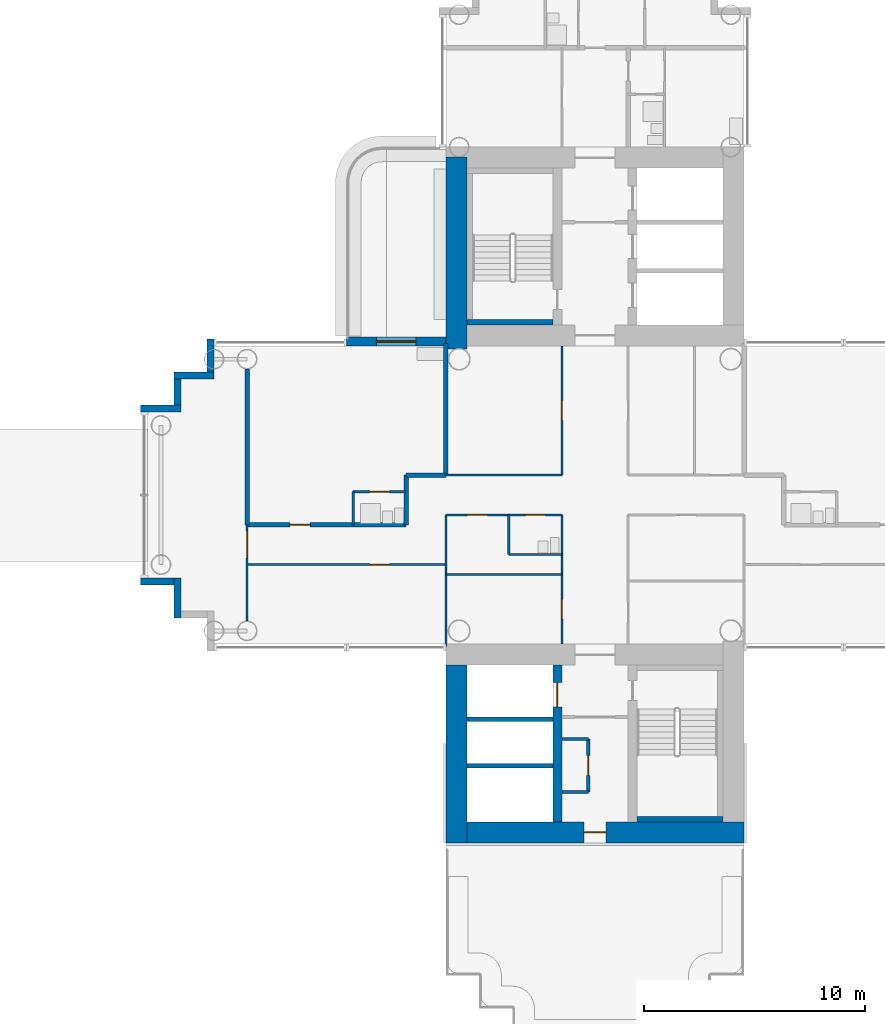
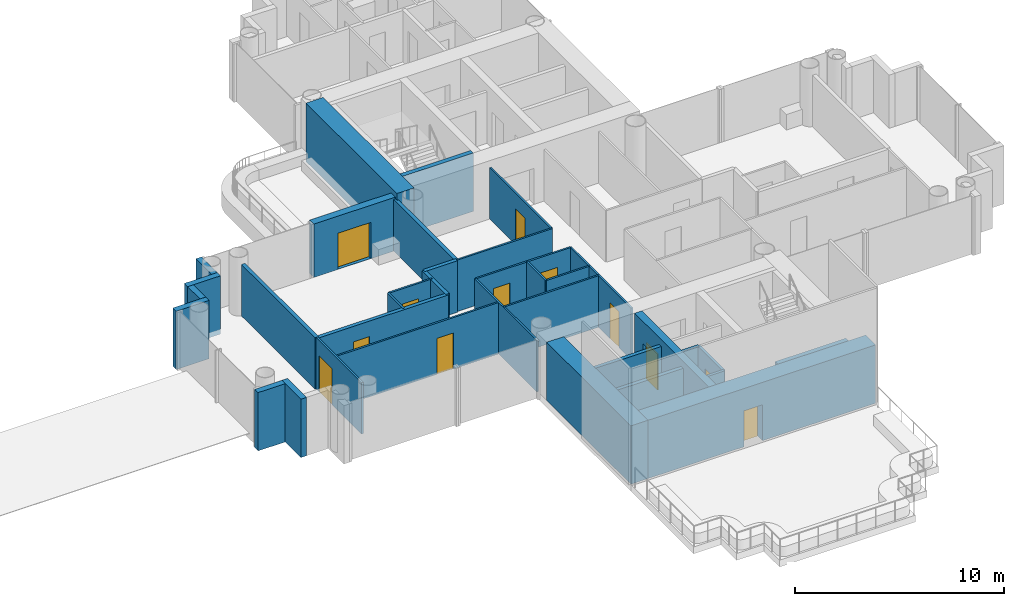
# One storey, part 13 of 22: 35 walls, 12 doors, 12 openings.
"""IFC4 building model written with IfcOpenShell, lengths in metres."""

from ifc_helpers import new_model, si_unit, direction, frame, frame_2d, origin, place, context, subcontext, project, spatial, rectangle, extrude, material, layer, layer_set, type_object, element, fill, save


model = new_model("IFC4")

# Units and contexts
model_context = context("Model", 3, precision=1e-05, world=origin(), true_north=direction((0.0, 1.0)))
body_context = subcontext(model_context, "Body", "Model", "MODEL_VIEW")
ifc_project = project(units=[si_unit("LENGTHUNIT", "METRE"), si_unit("AREAUNIT", "SQUARE_METRE"), si_unit("VOLUMEUNIT", "CUBIC_METRE"), si_unit("PLANEANGLEUNIT", "RADIAN"), si_unit("MASSUNIT", "GRAM", prefix="KILO")], contexts=[model_context])

# Site, building, storey
site_placement = place(None, origin())
site = spatial("IfcSite", under=ifc_project, at=site_placement, CompositionType="ELEMENT")
building_placement = place(site_placement, origin())
building = spatial("IfcBuilding", under=site, at=building_placement, Name="Ipe Terrace Towers", CompositionType="ELEMENT")
storey_placement = place(building_placement, frame((0.0, 0.0, 76.60009765625)))
storey = spatial("IfcBuildingStorey", under=building, at=storey_placement, Name="L20", CompositionType="ELEMENT", Elevation=76.60009765625)

# Wall, opening, door
ifc_material_1 = material(Name="Concrete C40/50 with buff precast cladding", Category="concrete")
ifc_layer_1 = layer(ifc_material_1, 0.39990234375)
ifc_layer_set_1 = layer_set([ifc_layer_1], Name="BALCONY BAY WALL 400")
wall_type_1 = type_object("IfcWallType", Name="BALCONY BAY WALL 400", PredefinedType="STANDARD", material=ifc_layer_set_1)
wall_1_placement = place(storey_placement, frame((29.25, 6.949951171875, -0.02001953125), z_axis=(0.0, 0.0, 1.0), x_axis=(-1.0, 0.0, 0.0)))
wall_1 = element("IfcWall", 1, at=wall_1_placement, inside=storey, type_object=wall_type_1, Name="T2-W-L20-28a wall", PredefinedType="STANDARD", context=body_context, shape_type="SweptSolid", body=[
    extrude(rectangle(XDim=4.5, YDim=0.39990234375, at=frame_2d((2.25, 0.0))), origin(), (0.0, 0.0, 1.0), 3.119873046875),
])
opening_1_placement = place(wall_1_placement, frame((1.35009765625, 0.0, 0.02001953125)))
opening_1 = element("IfcOpeningElement", 2, at=opening_1_placement, cuts=wall_1, Name="Opening T2-D-L20-28", PredefinedType="OPENING", context=body_context, shape_type="SweptSolid", body=[
    extrude(rectangle(XDim=1.800048828125, YDim=2.10009765625, at=frame_2d((0.89990234375, 1.050048828125))), frame((0.0, 0.2099609375, 0.0), z_axis=(0.0, -1.0, 0.0), x_axis=(1.0, 0.0, 0.0)), (0.0, 0.0, 1.0), 0.419921875),
])
ifc_material_2 = material(Name="Aluminium alloy 6063-T6 framed glazed door", Category="aluminium")
door_type_1 = type_object("IfcDoorType", Name="BALCONY DOOR 1800 x 2100 RIGHT", OperationType="SINGLE_SWING_RIGHT", PredefinedType="DOOR", material=ifc_material_2)
door_1_placement = place(opening_1_placement, origin())
door_1 = element("IfcDoor", 3, at=door_1_placement, inside=storey, type_object=door_type_1, Name="DB2 door", OperationType="SINGLE_SWING_RIGHT", OverallHeight=2.10009765625, OverallWidth=1.800048828125, PredefinedType="DOOR", context=body_context, shape_type="SweptSolid", body=[
    extrude(rectangle(XDim=1.800048828125, YDim=2.10009765625, at=frame_2d((0.89990234375, 1.050048828125))), frame((0.0, 0.02490234375, 0.0), z_axis=(0.0, -1.0, 0.0), x_axis=(1.0, 0.0, 0.0)), (0.0, 0.0, 1.0), 0.050048828125),
])
fill(opening_1, door_1)

# Walls
ifc_material_3 = material(Name="Concrete C40/50 with buff precast cladding", Category="concrete")
ifc_layer_2 = layer(ifc_material_3, 0.320068359375)
ifc_layer_set_2 = layer_set([ifc_layer_2], Name="BUFF CLADDING WALL 320")
wall_type_2 = type_object("IfcWallType", Name="BUFF CLADDING WALL 320", PredefinedType="STANDARD", material=ifc_layer_set_2)
wall_2_placement = place(storey_placement, frame((18.590087890625, 7.070068359375, -0.300048828125), z_axis=(0.0, 0.0, 1.0), x_axis=(0.0, -1.0, 0.0)))
element("IfcWall", 4, at=wall_2_placement, inside=storey, type_object=wall_type_2, Name="T2-W-L20-30a wall", PredefinedType="STANDARD", context=body_context, shape_type="SweptSolid", body=[
    extrude(rectangle(XDim=1.5, YDim=0.320068359375, at=frame_2d((0.75, 0.0))), origin(), (0.0, 0.0, 1.0), 3.39990234375),
])
wall_3_placement = place(storey_placement, frame((18.75, 5.409912109375, -0.300048828125), z_axis=(0.0, 0.0, 1.0), x_axis=(-1.0, 0.0, 0.0)))
element("IfcWall", 5, at=wall_3_placement, inside=storey, type_object=wall_type_2, Name="T2-W-L20-31a wall", PredefinedType="STANDARD", context=body_context, shape_type="SweptSolid", body=[
    extrude(rectangle(XDim=1.820068359375, YDim=0.320068359375, at=frame_2d((0.91015625, 0.0))), origin(), (0.0, 0.0, 1.0), 3.39990234375),
])
wall_4_placement = place(storey_placement, frame((17.090087890625, 5.25, -0.300048828125), z_axis=(0.0, 0.0, 1.0), x_axis=(0.0, -1.0, 0.0)))
element("IfcWall", 6, at=wall_4_placement, inside=storey, type_object=wall_type_2, Name="T2-W-L20-32a wall", PredefinedType="STANDARD", context=body_context, shape_type="SweptSolid", body=[
    extrude(rectangle(XDim=1.179931640625, YDim=0.320068359375, at=frame_2d((0.58984375, 0.0))), origin(), (0.0, 0.0, 1.0), 3.39990234375),
])
wall_5_placement = place(storey_placement, frame((17.25, 3.909912109375, -0.300048828125), z_axis=(0.0, 0.0, 1.0), x_axis=(-1.0, 0.0, 0.0)))
element("IfcWall", 7, at=wall_5_placement, inside=storey, type_object=wall_type_2, Name="T2-W-L20-33a wall", PredefinedType="STANDARD", context=body_context, shape_type="SweptSolid", body=[
    extrude(rectangle(XDim=1.820068359375, YDim=0.320068359375, at=frame_2d((0.91015625, 0.0))), origin(), (0.0, 0.0, 1.0), 3.39990234375),
])
wall_6_placement = place(storey_placement, frame((15.429931640625, -3.909912109375, -0.300048828125), z_axis=(0.0, 0.0, 1.0), x_axis=(1.0, 0.0, 0.0)))
element("IfcWall", 8, at=wall_6_placement, inside=storey, type_object=wall_type_2, Name="T2-W-L20-35a wall", PredefinedType="STANDARD", context=body_context, shape_type="SweptSolid", body=[
    extrude(rectangle(XDim=1.5, YDim=0.320068359375, at=frame_2d((0.75, 0.0))), origin(), (0.0, 0.0, 1.0), 3.39990234375),
])
wall_7_placement = place(storey_placement, frame((17.090087890625, -3.75, -0.300048828125), z_axis=(0.0, 0.0, 1.0), x_axis=(0.0, -1.0, 0.0)))
element("IfcWall", 9, at=wall_7_placement, inside=storey, type_object=wall_type_2, Name="T2-W-L20-36a wall", PredefinedType="STANDARD", context=body_context, shape_type="SweptSolid", body=[
    extrude(rectangle(XDim=1.820068359375, YDim=0.320068359375, at=frame_2d((0.91015625, 0.0))), origin(), (0.0, 0.0, 1.0), 3.39990234375),
])
ifc_material_4 = material(Name="Gypsum board partition", Category="plasterboard")
ifc_layer_3 = layer(ifc_material_4, 0.10009765625)
ifc_layer_set_3 = layer_set([ifc_layer_3], Name="Gypsum board partition 100 mm")
wall_type_3 = type_object("IfcWallType", Name="Gypsum board partition 100 mm", PredefinedType="PARTITIONING", material=ifc_layer_set_3)
wall_8_placement = place(storey_placement, frame((34.5, -3.60009765625, 0.0), z_axis=(0.0, 0.0, 1.0), x_axis=(-1.0, 0.0, 0.0)))
element("IfcWall", 10, at=wall_8_placement, inside=storey, type_object=wall_type_3, Name="Gypsum board partition T2 L20 W02", PredefinedType="PARTITIONING", context=body_context, shape_type="SweptSolid", body=[
    extrude(rectangle(XDim=5.25, YDim=0.10009765625, at=frame_2d((2.625, 0.0))), origin(), (0.0, 0.0, 1.0), 3.0),
])

# Wall, opening, door
wall_9_placement = place(storey_placement, frame((29.25, -3.14990234375, 0.0), z_axis=(0.0, 0.0, 1.0), x_axis=(-1.0, 0.0, 0.0)))
wall_9 = element("IfcWall", 11, at=wall_9_placement, inside=storey, type_object=wall_type_3, Name="Gypsum board partition T2 L20 W04", PredefinedType="PARTITIONING", context=body_context, shape_type="SweptSolid", body=[
    extrude(rectangle(XDim=9.0, YDim=0.10009765625, at=frame_2d((4.5, 0.0))), origin(), (0.0, 0.0, 1.0), 3.0),
])
opening_2_placement = place(wall_9_placement, frame((2.550048828125, 0.0, 0.0)))
opening_2 = element("IfcOpeningElement", 12, at=opening_2_placement, cuts=wall_9, Name="Opening T2-Z2B-09", PredefinedType="OPENING", context=body_context, shape_type="SweptSolid", body=[
    extrude(rectangle(XDim=0.89990234375, YDim=2.10009765625, at=frame_2d((0.449951171875, 1.050048828125))), frame((0.0, 0.06005859375, 0.0), z_axis=(0.0, -1.0, 0.0), x_axis=(1.0, 0.0, 0.0)), (0.0, 0.0, 1.0), 0.1201171875),
])
ifc_material_5 = material(Name="Timber door leaf", Category="wood")
door_type_2 = type_object("IfcDoorType", Name="Lounge door 900 x 2100", OperationType="NOTDEFINED", PredefinedType="DOOR", material=ifc_material_5)
door_2_placement = place(opening_2_placement, origin())
door_2 = element("IfcDoor", 13, at=door_2_placement, inside=storey, type_object=door_type_2, Name="Lounge door T2-Z2B-09", OperationType="SINGLE_SWING_RIGHT", OverallHeight=2.10009765625, OverallWidth=0.89990234375, PredefinedType="DOOR", context=body_context, shape_type="SweptSolid", body=[
    extrude(rectangle(XDim=0.89990234375, YDim=2.10009765625, at=frame_2d((0.449951171875, 1.050048828125))), frame((0.0, 0.02490234375, 0.0), z_axis=(0.0, -1.0, 0.0), x_axis=(1.0, 0.0, 0.0)), (0.0, 0.0, 1.0), 0.050048828125),
])
fill(opening_2, door_2)

# Wall
wall_10_placement = place(storey_placement, frame((34.5, -2.699951171875, 0.0), z_axis=(0.0, 0.0, 1.0), x_axis=(-1.0, 0.0, 0.0)))
element("IfcWall", 14, at=wall_10_placement, inside=storey, type_object=wall_type_3, Name="Gypsum board partition T2 L20 W05", PredefinedType="PARTITIONING", context=body_context, shape_type="SweptSolid", body=[
    extrude(rectangle(XDim=2.39990234375, YDim=0.10009765625, at=frame_2d((1.199951171875, 0.0))), origin(), (0.0, 0.0, 1.0), 3.0),
])

# Wall, openings, doors
wall_11_placement = place(storey_placement, frame((34.5, -0.89990234375, 0.0), z_axis=(0.0, 0.0, 1.0), x_axis=(-1.0, 0.0, 0.0)))
wall_11 = element("IfcWall", 15, at=wall_11_placement, inside=storey, type_object=wall_type_3, Name="Gypsum board partition T2 L20 W09", PredefinedType="PARTITIONING", context=body_context, shape_type="SweptSolid", body=[
    extrude(rectangle(XDim=5.25, YDim=0.10009765625, at=frame_2d((2.625, 0.0))), origin(), (0.0, 0.0, 1.0), 3.0),
])
opening_3_placement = place(wall_11_placement, frame((0.75, 0.0, 0.0)))
opening_3 = element("IfcOpeningElement", 16, at=opening_3_placement, cuts=wall_11, Name="Opening T2-Z2B-01", PredefinedType="OPENING", context=body_context, shape_type="SweptSolid", body=[
    extrude(rectangle(XDim=0.89990234375, YDim=2.10009765625, at=frame_2d((0.449951171875, 1.050048828125))), frame((0.0, 0.06005859375, 0.0), z_axis=(0.0, -1.0, 0.0), x_axis=(1.0, 0.0, 0.0)), (0.0, 0.0, 1.0), 0.1201171875),
])
opening_4_placement = place(wall_11_placement, frame((3.375, 0.0, 0.0)))
opening_4 = element("IfcOpeningElement", 17, at=opening_4_placement, cuts=wall_11, Name="Opening T2-Z2B-03", PredefinedType="OPENING", context=body_context, shape_type="SweptSolid", body=[
    extrude(rectangle(XDim=0.89990234375, YDim=2.10009765625, at=frame_2d((0.449951171875, 1.050048828125))), frame((0.0, 0.06005859375, 0.0), z_axis=(0.0, -1.0, 0.0), x_axis=(1.0, 0.0, 0.0)), (0.0, 0.0, 1.0), 0.1201171875),
])
ifc_material_6 = material(Name="Timber door leaf", Category="wood")
door_type_3 = type_object("IfcDoorType", Name="Bathroom door 900 x 2100", OperationType="NOTDEFINED", PredefinedType="DOOR", material=ifc_material_6)
door_3_placement = place(opening_3_placement, origin())
door_3 = element("IfcDoor", 18, at=door_3_placement, inside=storey, type_object=door_type_3, Name="Bathroom door T2-Z2B-01", OperationType="SINGLE_SWING_RIGHT", OverallHeight=2.10009765625, OverallWidth=0.89990234375, PredefinedType="DOOR", context=body_context, shape_type="SweptSolid", body=[
    extrude(rectangle(XDim=0.89990234375, YDim=2.10009765625, at=frame_2d((0.449951171875, 1.050048828125))), frame((0.0, 0.02490234375, 0.0), z_axis=(0.0, -1.0, 0.0), x_axis=(1.0, 0.0, 0.0)), (0.0, 0.0, 1.0), 0.050048828125),
])
fill(opening_3, door_3)
door_4_placement = place(opening_4_placement, origin())
door_4 = element("IfcDoor", 19, at=door_4_placement, inside=storey, type_object=door_type_2, Name="Lounge door T2-Z2B-03", OperationType="SINGLE_SWING_LEFT", OverallHeight=2.10009765625, OverallWidth=0.89990234375, PredefinedType="DOOR", context=body_context, shape_type="SweptSolid", body=[
    extrude(rectangle(XDim=0.89990234375, YDim=2.10009765625, at=frame_2d((0.449951171875, 1.050048828125))), frame((0.0, 0.02490234375, 0.0), z_axis=(0.0, -1.0, 0.0), x_axis=(1.0, 0.0, 0.0)), (0.0, 0.0, 1.0), 0.050048828125),
])
fill(opening_4, door_4)

# Wall, opening, door
wall_12_placement = place(storey_placement, frame((27.449951171875, 0.14990234375, 0.0), z_axis=(0.0, 0.0, 1.0), x_axis=(-1.0, 0.0, 0.0)))
wall_12 = element("IfcWall", 20, at=wall_12_placement, inside=storey, type_object=wall_type_3, Name="Gypsum board partition T2 L20 W11", PredefinedType="PARTITIONING", context=body_context, shape_type="SweptSolid", body=[
    extrude(rectangle(XDim=2.39990234375, YDim=0.10009765625, at=frame_2d((1.199951171875, 0.0))), origin(), (0.0, 0.0, 1.0), 3.0),
])
opening_5_placement = place(wall_12_placement, frame((0.75, 0.0, 0.0)))
opening_5 = element("IfcOpeningElement", 21, at=opening_5_placement, cuts=wall_12, Name="Opening T2-Z2B-11", PredefinedType="OPENING", context=body_context, shape_type="SweptSolid", body=[
    extrude(rectangle(XDim=0.89990234375, YDim=2.10009765625, at=frame_2d((0.449951171875, 1.050048828125))), frame((0.0, 0.06005859375, 0.0), z_axis=(0.0, -1.0, 0.0), x_axis=(1.0, 0.0, 0.0)), (0.0, 0.0, 1.0), 0.1201171875),
])
door_5_placement = place(opening_5_placement, origin())
door_5 = element("IfcDoor", 22, at=door_5_placement, inside=storey, type_object=door_type_3, Name="Bathroom door T2-Z2B-11", OperationType="SINGLE_SWING_LEFT", OverallHeight=2.10009765625, OverallWidth=0.89990234375, PredefinedType="DOOR", context=body_context, shape_type="SweptSolid", body=[
    extrude(rectangle(XDim=0.89990234375, YDim=2.10009765625, at=frame_2d((0.449951171875, 1.050048828125))), frame((0.0, 0.02490234375, 0.0), z_axis=(0.0, -1.0, 0.0), x_axis=(1.0, 0.0, 0.0)), (0.0, 0.0, 1.0), 0.050048828125),
])
fill(opening_5, door_5)

# Wall
wall_13_placement = place(storey_placement, frame((34.5, 0.89990234375, 0.0), z_axis=(0.0, 0.0, 1.0), x_axis=(-1.0, 0.0, 0.0)))
element("IfcWall", 23, at=wall_13_placement, inside=storey, type_object=wall_type_3, Name="Gypsum board partition T2 L20 W13", PredefinedType="PARTITIONING", context=body_context, shape_type="SweptSolid", body=[
    extrude(rectangle(XDim=5.25, YDim=0.10009765625, at=frame_2d((2.625, 0.0))), origin(), (0.0, 0.0, 1.0), 3.0),
])

# Wall, opening, door
wall_14_placement = place(storey_placement, frame((34.5, -6.75, 0.0), z_axis=(0.0, 0.0, 1.0), x_axis=(0.0, 1.0, 0.0)))
wall_14 = element("IfcWall", 24, at=wall_14_placement, inside=storey, type_object=wall_type_3, Name="Gypsum board partition T2 L20 W32", PredefinedType="PARTITIONING", context=body_context, shape_type="SweptSolid", body=[
    extrude(rectangle(XDim=5.85009765625, YDim=0.10009765625, at=frame_2d((2.925048828125, 0.0))), origin(), (0.0, 0.0, 1.0), 3.0),
])
opening_6_placement = place(wall_14_placement, frame((1.125, 0.0, 0.0)))
opening_6 = element("IfcOpeningElement", 25, at=opening_6_placement, cuts=wall_14, Name="Opening T2-Z2B-04", PredefinedType="OPENING", context=body_context, shape_type="SweptSolid", body=[
    extrude(rectangle(XDim=0.89990234375, YDim=2.10009765625, at=frame_2d((0.449951171875, 1.050048828125))), frame((0.0, 0.06005859375, 0.0), z_axis=(0.0, -1.0, 0.0), x_axis=(1.0, 0.0, 0.0)), (0.0, 0.0, 1.0), 0.1201171875),
])
door_6_placement = place(opening_6_placement, origin())
door_6 = element("IfcDoor", 26, at=door_6_placement, inside=storey, type_object=door_type_2, Name="Lounge door T2-Z2B-04", OperationType="SINGLE_SWING_RIGHT", OverallHeight=2.10009765625, OverallWidth=0.89990234375, PredefinedType="DOOR", context=body_context, shape_type="SweptSolid", body=[
    extrude(rectangle(XDim=0.89990234375, YDim=2.10009765625, at=frame_2d((0.449951171875, 1.050048828125))), frame((0.0, 0.02490234375, 0.0), z_axis=(0.0, -1.0, 0.0), x_axis=(1.0, 0.0, 0.0)), (0.0, 0.0, 1.0), 0.050048828125),
])
fill(opening_6, door_6)

wall_15_placement = place(storey_placement, frame((34.5, 0.89990234375, 0.0), z_axis=(0.0, 0.0, 1.0), x_axis=(0.0, 1.0, 0.0)))
wall_15 = element("IfcWall", 27, at=wall_15_placement, inside=storey, type_object=wall_type_3, Name="Gypsum board partition T2 L20 W33", PredefinedType="PARTITIONING", context=body_context, shape_type="SweptSolid", body=[
    extrude(rectangle(XDim=5.85009765625, YDim=0.10009765625, at=frame_2d((2.925048828125, 0.0))), origin(), (0.0, 0.0, 1.0), 3.0),
])
opening_7_placement = place(wall_15_placement, frame((2.47509765625, 0.0, 0.0)))
opening_7 = element("IfcOpeningElement", 28, at=opening_7_placement, cuts=wall_15, Name="Opening T2-Z2B-02", PredefinedType="OPENING", context=body_context, shape_type="SweptSolid", body=[
    extrude(rectangle(XDim=0.89990234375, YDim=2.10009765625, at=frame_2d((0.449951171875, 1.050048828125))), frame((0.0, 0.06005859375, 0.0), z_axis=(0.0, -1.0, 0.0), x_axis=(1.0, 0.0, 0.0)), (0.0, 0.0, 1.0), 0.1201171875),
])
door_7_placement = place(opening_7_placement, origin())
door_7 = element("IfcDoor", 29, at=door_7_placement, inside=storey, type_object=door_type_2, Name="Lounge door T2-Z2B-02", OperationType="SINGLE_SWING_LEFT", OverallHeight=2.10009765625, OverallWidth=0.89990234375, PredefinedType="DOOR", context=body_context, shape_type="SweptSolid", body=[
    extrude(rectangle(XDim=0.89990234375, YDim=2.10009765625, at=frame_2d((0.449951171875, 1.050048828125))), frame((0.0, 0.02490234375, 0.0), z_axis=(0.0, -1.0, 0.0), x_axis=(1.0, 0.0, 0.0)), (0.0, 0.0, 1.0), 0.050048828125),
])
fill(opening_7, door_7)

# Walls
wall_16_placement = place(storey_placement, frame((32.10009765625, -2.699951171875, 0.0), z_axis=(0.0, 0.0, 1.0), x_axis=(0.0, 1.0, 0.0)))
element("IfcWall", 30, at=wall_16_placement, inside=storey, type_object=wall_type_3, Name="Gypsum board partition T2 L20 W36", PredefinedType="PARTITIONING", context=body_context, shape_type="SweptSolid", body=[
    extrude(rectangle(XDim=1.800048828125, YDim=0.10009765625, at=frame_2d((0.89990234375, 0.0))), origin(), (0.0, 0.0, 1.0), 3.0),
])
wall_17_placement = place(storey_placement, frame((29.25, -6.85009765625, 0.0), z_axis=(0.0, 0.0, 1.0), x_axis=(0.0, 1.0, 0.0)))
element("IfcWall", 31, at=wall_17_placement, inside=storey, type_object=wall_type_3, Name="Gypsum board partition T2 L20 W37", PredefinedType="PARTITIONING", context=body_context, shape_type="SweptSolid", body=[
    extrude(rectangle(XDim=5.9501953125, YDim=0.10009765625, at=frame_2d((2.97509765625, 0.0))), origin(), (0.0, 0.0, 1.0), 3.0),
])
wall_18_placement = place(storey_placement, frame((25.050048828125, -1.35009765625, 0.0), z_axis=(0.0, 0.0, 1.0), x_axis=(0.0, 1.0, 0.0)))
element("IfcWall", 32, at=wall_18_placement, inside=storey, type_object=wall_type_3, Name="Gypsum board partition T2 L20 W40", PredefinedType="PARTITIONING", context=body_context, shape_type="SweptSolid", body=[
    extrude(rectangle(XDim=1.5, YDim=0.10009765625, at=frame_2d((0.75, 0.0))), origin(), (0.0, 0.0, 1.0), 3.0),
])

# Wall, opening, door
wall_19_placement = place(storey_placement, frame((20.25, -5.699951171875, 0.0), z_axis=(0.0, 0.0, 1.0), x_axis=(0.0, 1.0, 0.0)))
wall_19 = element("IfcWall", 33, at=wall_19_placement, inside=storey, type_object=wall_type_3, Name="Gypsum board partition T2 L20 W41", PredefinedType="PARTITIONING", context=body_context, shape_type="SweptSolid", body=[
    extrude(rectangle(XDim=4.349853515625, YDim=0.10009765625, at=frame_2d((2.1748046875, 0.0))), origin(), (0.0, 0.0, 1.0), 3.0),
])
opening_8_placement = place(wall_19_placement, frame((2.85009765625, 0.0, 0.0)))
opening_8 = element("IfcOpeningElement", 34, at=opening_8_placement, cuts=wall_19, Name="Opening T2-Z2B-12", PredefinedType="OPENING", context=body_context, shape_type="SweptSolid", body=[
    extrude(rectangle(XDim=1.199951171875, YDim=2.10009765625, at=frame_2d((0.60009765625, 1.050048828125))), frame((0.0, 0.06005859375, 0.0), z_axis=(0.0, -1.0, 0.0), x_axis=(1.0, 0.0, 0.0)), (0.0, 0.0, 1.0), 0.1201171875),
])
ifc_material_7 = material(Name="Timber door leaf", Category="wood")
door_type_4 = type_object("IfcDoorType", Name="Lounge door 1200 x 2100", OperationType="NOTDEFINED", PredefinedType="DOOR", material=ifc_material_7)
door_8_placement = place(opening_8_placement, origin())
door_8 = element("IfcDoor", 35, at=door_8_placement, inside=storey, type_object=door_type_4, Name="Lounge door T2-Z2B-12", OperationType="SINGLE_SWING_LEFT", OverallHeight=2.10009765625, OverallWidth=1.199951171875, PredefinedType="DOOR", context=body_context, shape_type="SweptSolid", body=[
    extrude(rectangle(XDim=1.199951171875, YDim=2.10009765625, at=frame_2d((0.60009765625, 1.050048828125))), frame((0.0, 0.02490234375, 0.0), z_axis=(0.0, -1.0, 0.0), x_axis=(1.0, 0.0, 0.0)), (0.0, 0.0, 1.0), 0.050048828125),
])
fill(opening_8, door_8)

ifc_material_8 = material(Name="Gypsum board partition", Category="plasterboard")
ifc_layer_4 = layer(ifc_material_8, 0.14990234375)
ifc_layer_set_4 = layer_set([ifc_layer_4], Name="Gypsum board partition 150 mm")
wall_type_4 = type_object("IfcWallType", Name="Gypsum board partition 150 mm", PredefinedType="PARTITIONING", material=ifc_layer_set_4)
wall_20_placement = place(storey_placement, frame((35.699951171875, -11.050048828125, 0.0), z_axis=(0.0, 0.0, 1.0), x_axis=(0.0, -1.0, 0.0)))
wall_20 = element("IfcWall", 36, at=wall_20_placement, inside=storey, type_object=wall_type_4, Name="Gypsum board partition T2 L20 t2c2-cup-s-f", PredefinedType="PARTITIONING", context=body_context, shape_type="SweptSolid", body=[
    extrude(rectangle(XDim=2.39990234375, YDim=0.14990234375, at=frame_2d((1.199951171875, 0.0))), origin(), (0.0, 0.0, 1.0), 3.0),
])
opening_9_placement = place(wall_20_placement, frame((0.75, 0.0, 0.0)))
opening_9 = element("IfcOpeningElement", 37, at=opening_9_placement, cuts=wall_20, Name="Opening T2C2-SC", PredefinedType="OPENING", context=body_context, shape_type="SweptSolid", body=[
    extrude(rectangle(XDim=0.89990234375, YDim=2.10009765625, at=frame_2d((0.449951171875, 1.050048828125))), frame((0.0, 0.0849609375, 0.0), z_axis=(0.0, -1.0, 0.0), x_axis=(1.0, 0.0, 0.0)), (0.0, 0.0, 1.0), 0.169921875),
])
ifc_material_9 = material(Name="Fire-rated timber door leaf", Category="wood")
door_type_5 = type_object("IfcDoorType", Name="Service door 900 x 2100 FD30S", OperationType="NOTDEFINED", PredefinedType="DOOR", material=ifc_material_9)
door_9_placement = place(opening_9_placement, origin())
door_9 = element("IfcDoor", 38, at=door_9_placement, inside=storey, type_object=door_type_5, Name="Service door T2C2-SC", OperationType="SINGLE_SWING_LEFT", OverallHeight=2.10009765625, OverallWidth=0.89990234375, PredefinedType="DOOR", context=body_context, shape_type="SweptSolid", body=[
    extrude(rectangle(XDim=0.89990234375, YDim=2.10009765625, at=frame_2d((0.449951171875, 1.050048828125))), frame((0.0, 0.02490234375, 0.0), z_axis=(0.0, -1.0, 0.0), x_axis=(1.0, 0.0, 0.0)), (0.0, 0.0, 1.0), 0.050048828125),
])
fill(opening_9, door_9)

# Walls
for number, where, z_axis, x_axis, name in (
    (39, (35.699951171875, -11.050048828125, 0.0), (0.0, 0.0, 1.0), (-1.0, 0.0, 0.0), "Gypsum board partition T2 L20 t2c2-cup-s-a"),
    (40, (35.699951171875, -13.449951171875, 0.0), (0.0, 0.0, 1.0), (-1.0, 0.0, 0.0), "Gypsum board partition T2 L20 t2c2-cup-s-b"),
):
    element("IfcWall", number, at=place(storey_placement, frame(where, z_axis=z_axis, x_axis=x_axis)), inside=storey, type_object=wall_type_4, Name=name, PredefinedType="PARTITIONING", context=body_context, shape_type="SweptSolid", body=[
        extrude(rectangle(XDim=1.199951171875, YDim=0.14990234375, at=frame_2d((0.60009765625, 0.0))), origin(), (0.0, 0.0, 1.0), 3.0),
    ])
ifc_material_10 = material(Name="Gypsum board party wall", Category="plasterboard")
ifc_layer_5 = layer(ifc_material_10, 0.199951171875)
ifc_layer_set_5 = layer_set([ifc_layer_5], Name="Gypsum board party wall 200 mm")
wall_type_5 = type_object("IfcWallType", Name="Gypsum board party wall 200 mm", PredefinedType="SOLIDWALL", material=ifc_layer_set_5)
for number, where, z_axis, x_axis, name in (
    (41, (30.199951171875, -10.14990234375, 0.0), (0.0, 0.0, 1.0), (1.0, 0.0, 0.0), "Gypsum board party wall T2 L20 t2c2-shaft-div1"),
    (42, (30.199951171875, -12.25, 0.0), (0.0, 0.0, 1.0), (1.0, 0.0, 0.0), "Gypsum board party wall T2 L20 t2c2-shaft-div2"),
):
    element("IfcWall", number, at=place(storey_placement, frame(where, z_axis=z_axis, x_axis=x_axis)), inside=storey, type_object=wall_type_5, Name=name, PredefinedType="SOLIDWALL", context=body_context, shape_type="SweptSolid", body=[
        extrude(rectangle(XDim=3.900146484375, YDim=0.199951171875, at=frame_2d((1.9501953125, 0.0))), origin(), (0.0, 0.0, 1.0), 3.0),
    ])

# Wall, opening, door
wall_21_placement = place(storey_placement, frame((27.449951171875, -1.35009765625, 0.0), z_axis=(0.0, 0.0, 1.0), x_axis=(-1.0, 0.0, 0.0)))
wall_21 = element("IfcWall", 43, at=wall_21_placement, inside=storey, type_object=wall_type_5, Name="Gypsum board party wall T2 L20 W07", PredefinedType="SOLIDWALL", context=body_context, shape_type="SweptSolid", body=[
    extrude(rectangle(XDim=7.199951171875, YDim=0.199951171875, at=frame_2d((3.60009765625, 0.0))), origin(), (0.0, 0.0, 1.0), 3.0),
])
opening_10_placement = place(wall_21_placement, frame((4.35009765625, 0.0, 0.0)))
opening_10 = element("IfcOpeningElement", 44, at=opening_10_placement, cuts=wall_21, Name="Opening T2-Z2B-10", PredefinedType="OPENING", context=body_context, shape_type="SweptSolid", body=[
    extrude(rectangle(XDim=0.89990234375, YDim=2.10009765625, at=frame_2d((0.449951171875, 1.050048828125))), frame((0.0, 0.10986328125, 0.0), z_axis=(0.0, -1.0, 0.0), x_axis=(1.0, 0.0, 0.0)), (0.0, 0.0, 1.0), 0.219970703125),
])
ifc_material_11 = material(Name="Fire-rated timber door leaf", Category="wood")
door_type_6 = type_object("IfcDoorType", Name="Flat entrance door 900 x 2100 FD30S", OperationType="NOTDEFINED", PredefinedType="DOOR", material=ifc_material_11)
door_10_placement = place(opening_10_placement, origin())
door_10 = element("IfcDoor", 45, at=door_10_placement, inside=storey, type_object=door_type_6, Name="Flat entrance door T2-Z2B-10", OperationType="SINGLE_SWING_RIGHT", OverallHeight=2.10009765625, OverallWidth=0.89990234375, PredefinedType="DOOR", context=body_context, shape_type="SweptSolid", body=[
    extrude(rectangle(XDim=0.89990234375, YDim=2.10009765625, at=frame_2d((0.449951171875, 1.050048828125))), frame((0.0, 0.02490234375, 0.0), z_axis=(0.0, -1.0, 0.0), x_axis=(1.0, 0.0, 0.0)), (0.0, 0.0, 1.0), 0.050048828125),
])
fill(opening_10, door_10)

# Walls
wall_22_placement = place(storey_placement, frame((29.25, 0.89990234375, 0.0), z_axis=(0.0, 0.0, 1.0), x_axis=(-1.0, 0.0, 0.0)))
element("IfcWall", 46, at=wall_22_placement, inside=storey, type_object=wall_type_5, Name="Gypsum board party wall T2 L20 W15", PredefinedType="SOLIDWALL", context=body_context, shape_type="SweptSolid", body=[
    extrude(rectangle(XDim=1.800048828125, YDim=0.199951171875, at=frame_2d((0.89990234375, 0.0))), origin(), (0.0, 0.0, 1.0), 3.0),
])
wall_23_placement = place(storey_placement, frame((29.25, 0.89990234375, 0.0), z_axis=(0.0, 0.0, 1.0), x_axis=(0.0, 1.0, 0.0)))
element("IfcWall", 47, at=wall_23_placement, inside=storey, type_object=wall_type_5, Name="Gypsum board party wall T2 L20 W38", PredefinedType="SOLIDWALL", context=body_context, shape_type="SweptSolid", body=[
    extrude(rectangle(XDim=5.9501953125, YDim=0.199951171875, at=frame_2d((2.97509765625, 0.0))), origin(), (0.0, 0.0, 1.0), 3.0),
])
wall_24_placement = place(storey_placement, frame((27.449951171875, -1.35009765625, 0.0), z_axis=(0.0, 0.0, 1.0), x_axis=(0.0, 1.0, 0.0)))
element("IfcWall", 48, at=wall_24_placement, inside=storey, type_object=wall_type_5, Name="Gypsum board party wall T2 L20 W39", PredefinedType="SOLIDWALL", context=body_context, shape_type="SweptSolid", body=[
    extrude(rectangle(XDim=2.25, YDim=0.199951171875, at=frame_2d((1.125, 0.0))), origin(), (0.0, 0.0, 1.0), 3.0),
])
wall_25_placement = place(storey_placement, frame((20.25, -1.35009765625, 0.0), z_axis=(0.0, 0.0, 1.0), x_axis=(0.0, 1.0, 0.0)))
element("IfcWall", 49, at=wall_25_placement, inside=storey, type_object=wall_type_5, Name="Gypsum board party wall T2 L20 W42", PredefinedType="SOLIDWALL", context=body_context, shape_type="SweptSolid", body=[
    extrude(rectangle(XDim=7.050048828125, YDim=0.199951171875, at=frame_2d((3.52490234375, 0.0))), origin(), (0.0, 0.0, 1.0), 3.0),
])
ifc_material_12 = material(Name="Concrete C50/60", Category="concrete")
ifc_layer_6 = layer(ifc_material_12, 0.25)
ifc_layer_set_6 = layer_set([ifc_layer_6], Name="RW250 CORE INFILL WALL 250 C50-60")
wall_type_6 = type_object("IfcWallType", Name="RW250 CORE INFILL WALL 250 C50-60", PredefinedType="SHEAR", material=ifc_layer_set_6)
for number, where, z_axis, x_axis, name in (
    (50, (34.10009765625, 7.824951171875, 0.0), (0.0, 0.0, 1.0), (-1.0, 0.0, 0.0), "Core infill wall T2-C1-near"),
    (51, (37.89990234375, -14.675048828125, 0.0), (0.0, 0.0, 1.0), (1.0, 0.0, 0.0), "Core infill wall T2-C2-far"),
):
    element("IfcWall", number, at=place(storey_placement, frame(where, z_axis=z_axis, x_axis=x_axis)), inside=storey, type_object=wall_type_6, Name=name, PredefinedType="SHEAR", context=body_context, shape_type="SweptSolid", body=[
        extrude(rectangle(XDim=3.900146484375, YDim=0.25, at=frame_2d((1.9501953125, 0.0))), origin(), (0.0, 0.0, 1.0), 3.39990234375),
    ])

# Wall, opening, door
ifc_material_13 = material(Name="Concrete C50/60", Category="concrete")
ifc_layer_7 = layer(ifc_material_13, 0.39990234375)
ifc_layer_set_7 = layer_set([ifc_layer_7], Name="RW400 CORE SPINE WALL 400 C50-60")
wall_type_7 = type_object("IfcWallType", Name="RW400 CORE SPINE WALL 400 C50-60", PredefinedType="SHEAR", material=ifc_layer_set_7)
wall_26_placement = place(storey_placement, frame((34.300048828125, -14.800048828125, 0.0), z_axis=(0.0, 0.0, 1.0), x_axis=(0.0, 1.0, 0.0)))
wall_26 = element("IfcWall", 52, at=wall_26_placement, inside=storey, type_object=wall_type_7, Name="Core spine wall T2-C2-Z2-SW1", PredefinedType="SHEAR", context=body_context, shape_type="SweptSolid", body=[
    extrude(rectangle(XDim=7.10009765625, YDim=0.39990234375, at=frame_2d((3.550048828125, 0.0))), origin(), (0.0, 0.0, 1.0), 3.39990234375),
])
opening_11_placement = place(wall_26_placement, frame((5.199951171875, 0.0, 0.0)))
opening_11 = element("IfcOpeningElement", 53, at=opening_11_placement, cuts=wall_26, Name="Opening T2C2-LD1", PredefinedType="OPENING", context=body_context, shape_type="SweptSolid", body=[
    extrude(rectangle(XDim=1.10009765625, YDim=2.10009765625, at=frame_2d((0.550048828125, 1.050048828125))), frame((0.0, 0.2099609375, 0.0), z_axis=(0.0, -1.0, 0.0), x_axis=(1.0, 0.0, 0.0)), (0.0, 0.0, 1.0), 0.419921875),
])
ifc_material_14 = material(Name="Fire-rated timber door leaf", Category="wood")
door_type_7 = type_object("IfcDoorType", Name="Sliding door 1100 x 2100 FD60", OperationType="SLIDING_TO_LEFT", PredefinedType="DOOR", material=ifc_material_14)
door_11_placement = place(opening_11_placement, origin())
door_11 = element("IfcDoor", 54, at=door_11_placement, inside=storey, type_object=door_type_7, Name="Sliding door T2C2-LD1", OperationType="SLIDING_TO_LEFT", OverallHeight=2.10009765625, OverallWidth=1.10009765625, PredefinedType="DOOR", context=body_context, shape_type="SweptSolid", body=[
    extrude(rectangle(XDim=1.10009765625, YDim=2.10009765625, at=frame_2d((0.550048828125, 1.050048828125))), frame((0.0, 0.02490234375, 0.0), z_axis=(0.0, -1.0, 0.0), x_axis=(1.0, 0.0, 0.0)), (0.0, 0.0, 1.0), 0.050048828125),
])
fill(opening_11, door_11)

# Wall
ifc_material_15 = material(Name="Concrete C50/60", Category="concrete")
ifc_layer_8 = layer(ifc_material_15, 0.949951171875)
ifc_layer_set_8 = layer_set([ifc_layer_8], Name="RW950 CORE WALL 950 C50-60")
wall_type_8 = type_object("IfcWallType", Name="RW950 CORE WALL 950 C50-60", PredefinedType="SHEAR", material=ifc_layer_set_8)
wall_27_placement = place(storey_placement, frame((29.72509765625, 15.298095703125, 0.0), z_axis=(0.0, 0.0, 1.0), x_axis=(0.0, -1.0, 0.0)))
element("IfcWall", 55, at=wall_27_placement, inside=storey, type_object=wall_type_8, Name="Core wall T2-C1-Z2-W04", PredefinedType="SHEAR", context=body_context, shape_type="SweptSolid", body=[
    extrude(rectangle(XDim=8.696044921875, YDim=0.949951171875, at=frame_2d((4.34814453125, 0.0))), origin(), (0.0, 0.0, 1.0), 3.39990234375),
])

# Wall, opening, door
wall_28_placement = place(storey_placement, frame((30.199951171875, -15.27490234375, 0.0), z_axis=(0.0, 0.0, 1.0), x_axis=(1.0, 0.0, 0.0)))
wall_28 = element("IfcWall", 56, at=wall_28_placement, inside=storey, type_object=wall_type_8, Name="Core wall T2-C2-Z2-W01", PredefinedType="SHEAR", context=body_context, shape_type="SweptSolid", body=[
    extrude(rectangle(XDim=12.550048828125, YDim=0.949951171875, at=frame_2d((6.27490234375, 0.0))), origin(), (0.0, 0.0, 1.0), 3.39990234375),
])
opening_12_placement = place(wall_28_placement, frame((5.300048828125, 0.0, 0.0)))
opening_12 = element("IfcOpeningElement", 57, at=opening_12_placement, cuts=wall_28, Name="Opening T2-C2-D-L20", PredefinedType="OPENING", context=body_context, shape_type="SweptSolid", body=[
    extrude(rectangle(XDim=1.0, YDim=2.10009765625, at=frame_2d((0.5, 1.050048828125))), frame((0.0, 0.48486328125, 0.0), z_axis=(0.0, -1.0, 0.0), x_axis=(1.0, 0.0, 0.0)), (0.0, 0.0, 1.0), 0.969970703125),
])
ifc_material_16 = material(Name="Aluminium alloy 6063-T6 framed glazed door", Category="aluminium")
door_type_8 = type_object("IfcDoorType", Name="TERRACE DOOR 1000 x 2100", OperationType="SINGLE_SWING_LEFT", PredefinedType="DOOR", material=ifc_material_16)
door_12_placement = place(opening_12_placement, origin())
door_12 = element("IfcDoor", 58, at=door_12_placement, inside=storey, type_object=door_type_8, Name="DT1 door", OperationType="SINGLE_SWING_LEFT", OverallHeight=2.10009765625, OverallWidth=1.0, PredefinedType="DOOR", context=body_context, shape_type="SweptSolid", body=[
    extrude(rectangle(XDim=1.0, YDim=2.10009765625, at=frame_2d((0.5, 1.050048828125))), frame((0.0, 0.02490234375, 0.0), z_axis=(0.0, -1.0, 0.0), x_axis=(1.0, 0.0, 0.0)), (0.0, 0.0, 1.0), 0.050048828125),
])
fill(opening_12, door_12)

# Wall
wall_29_placement = place(storey_placement, frame((29.72509765625, -7.699951171875, 0.0), z_axis=(0.0, 0.0, 1.0), x_axis=(0.0, -1.0, 0.0)))
element("IfcWall", 59, at=wall_29_placement, inside=storey, type_object=wall_type_8, Name="Core wall T2-C2-Z2-W04", PredefinedType="SHEAR", context=body_context, shape_type="SweptSolid", body=[
    extrude(rectangle(XDim=8.050048828125, YDim=0.949951171875, at=frame_2d((4.02490234375, 0.0))), origin(), (0.0, 0.0, 1.0), 3.39990234375),
])

save(model, "model.ifc")
